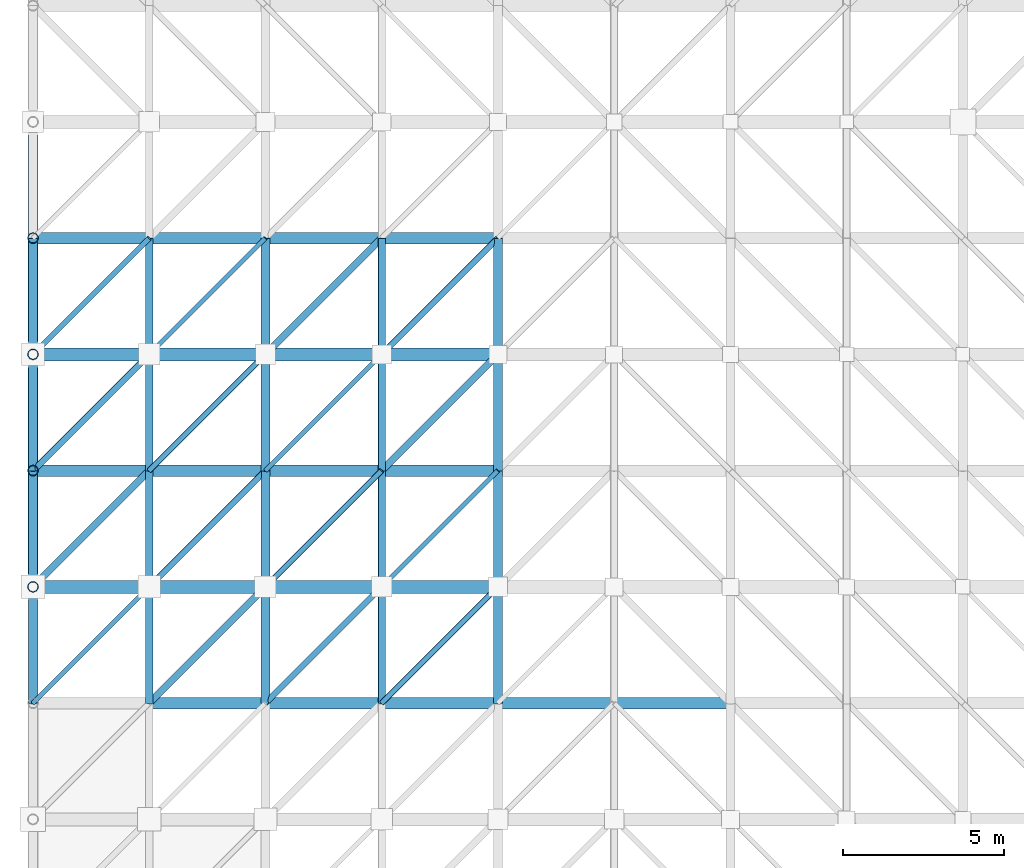
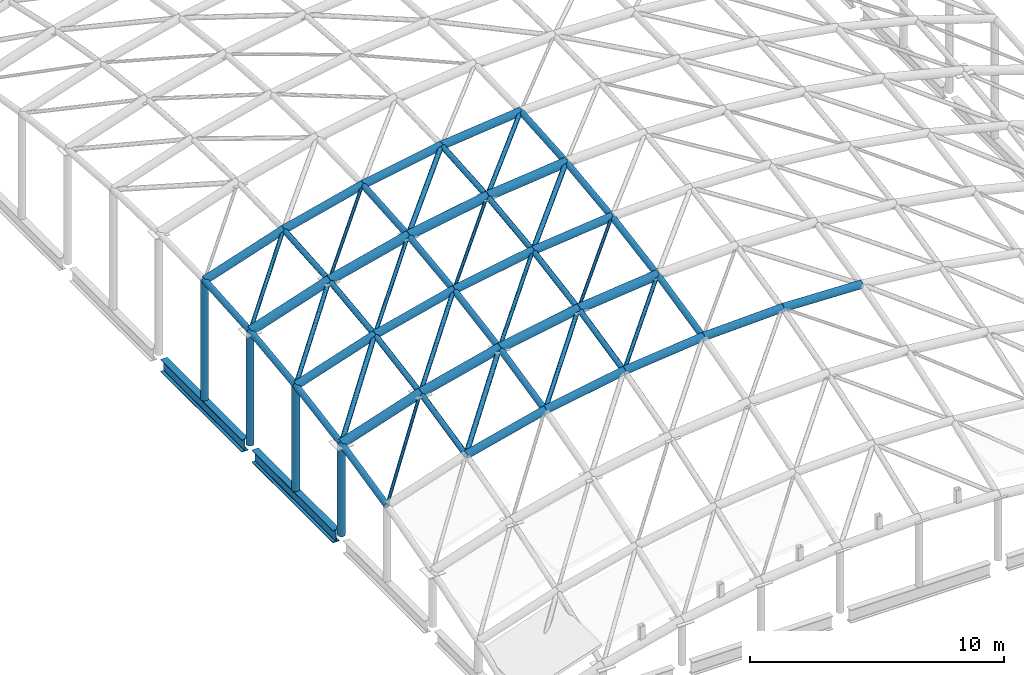
# One storey, part 4 of 40: 61 members, 2 beams.
"""IFC4 building model written with IfcOpenShell, lengths in metres."""

from ifc_helpers import new_model, si_unit, direction, frame, origin, origin_2d, place, context, subcontext, project, spatial, hollow_circle, i_section, extrude, material, material_profile, profile_set, type_object, element, save


model = new_model("IFC4")

# Units and contexts
model_context = context("Model", 3, precision=1e-05, world=origin(), true_north=direction((0.0, 1.0)))
body_context = subcontext(model_context, "Body", "Model", "MODEL_VIEW")
ifc_project = project(units=[si_unit("LENGTHUNIT", "METRE"), si_unit("AREAUNIT", "SQUARE_METRE"), si_unit("VOLUMEUNIT", "CUBIC_METRE"), si_unit("PLANEANGLEUNIT", "RADIAN"), si_unit("MASSUNIT", "GRAM", prefix="KILO")], contexts=[model_context])

# Site, building, storey
site_placement = place(None, origin())
site = spatial("IfcSite", under=ifc_project, at=site_placement, CompositionType="ELEMENT")
building_placement = place(site_placement, origin())
building = spatial("IfcBuilding", under=site, at=building_placement, Name="Kavelor Marine Aquarium", CompositionType="ELEMENT")
storey_placement = place(building_placement, frame((0.0, 0.0, 17.639892578125)))
storey = spatial("IfcBuildingStorey", under=building, at=storey_placement, Name="L04", CompositionType="ELEMENT", Elevation=17.639892578125)

# Beams
ifc_material_1 = material(Name="Steel S355", Category="steel")
ifc_material_profile_1 = material_profile(ifc_material_1, i_section(OverallWidth=0.300048828125, OverallDepth=0.60009765625, WebThickness=0.015380859375, FlangeThickness=0.030029296875, FilletRadius=0.027099609375, at=origin_2d()), Name="HEB 600")
ifc_profile_set_1 = profile_set([ifc_material_profile_1], Name="Steel S355")
beam_type = type_object("IfcBeamType", Name="BM-SB2", PredefinedType="BEAM", material=ifc_profile_set_1)
for number, where, z_axis, x_axis, name in (
    (1, (3.199951171875, 39.199951171875, -0.2998046875), (0.0, 1.0, 0.0), (-1.0, 0.0, 0.0), "bm:y:L04:L04:00_05"),
    (2, (3.199951171875, 46.39990234375, -0.2998046875), (0.0, 1.0, 0.0), (-1.0, 0.0, 0.0), "bm:y:L04:L04:00_06"),
):
    element("IfcBeam", number, at=place(storey_placement, frame(where, z_axis=z_axis, x_axis=x_axis)), inside=storey, type_object=beam_type, Name=name, PredefinedType="BEAM", context=body_context, shape_type="SweptSolid", body=[
        extrude(i_section(OverallWidth=0.300048828125, OverallDepth=0.60009765625, WebThickness=0.015380859375, FlangeThickness=0.030029296875, FilletRadius=0.027099609375, at=origin_2d()), origin(), (0.0, 0.0, 1.0), 6.400146484375),
    ])

# Members
ifc_material_2 = material(Name="Steel S355", Category="steel")
ifc_material_profile_2 = material_profile(ifc_material_2, hollow_circle(Radius=0.109619140625, WallThickness=0.0087890625, at=origin_2d()), Name="CHS 219.1x8.8")
ifc_profile_set_2 = profile_set([ifc_material_profile_2], Name="Steel S355")
member_type_1 = type_object("IfcMemberType", Name="GS-BR1", PredefinedType="BRACE", material=ifc_profile_set_2)
member_1_placement = place(storey_placement, frame((3.199951171875, 38.800048828125, 4.3818359375), z_axis=(0.666747029321, 0.66670181387, 0.333102221959), x_axis=(-0.707082803744, 0.707130757816, 0.0)))
element("IfcMember", 3, at=member_1_placement, inside=storey, type_object=member_type_1, Name="gs:diag:00_04", PredefinedType="BRACE", context=body_context, shape_type="SweptSolid", body=[
    extrude(hollow_circle(Radius=0.109619140625, WallThickness=0.0087890625, at=origin_2d()), origin(), (0.0, 0.0, 1.0), 5.3994140625),
])
member_2_placement = place(storey_placement, frame((6.800048828125, 35.199951171875, 4.76171875), z_axis=(0.67063437367, 0.670679855825, 0.316919655187), x_axis=(-0.707130757816, 0.707082803744, 0.0)))
element("IfcMember", 4, at=member_2_placement, inside=storey, type_object=member_type_1, Name="gs:diag:01_03", PredefinedType="BRACE", context=body_context, shape_type="SweptSolid", body=[
    extrude(hollow_circle(Radius=0.109619140625, WallThickness=0.0087890625, at=origin_2d()), origin(), (0.0, 0.0, 1.0), 5.367919921875),
])
member_3_placement = place(storey_placement, frame((10.39990234375, 46.0, 7.517822265625), z_axis=(0.696439048992, 0.696439048992, 0.17304710942), x_axis=(-0.707106781187, 0.707106781187, 0.0)))
element("IfcMember", 5, at=member_3_placement, inside=storey, type_object=member_type_1, Name="gs:diag:02_06", PredefinedType="BRACE", context=body_context, shape_type="SweptSolid", body=[
    extrude(hollow_circle(Radius=0.109619140625, WallThickness=0.0087890625, at=origin_2d()), origin(), (0.0, 0.0, 1.0), 5.169189453125),
])
member_4_placement = place(storey_placement, frame((14.0, 42.39990234375, 7.713134765625), z_axis=(0.698244964544, 0.698244964544, 0.157822491986), x_axis=(-0.707106781187, 0.707106781187, 0.0)))
element("IfcMember", 6, at=member_4_placement, inside=storey, type_object=member_type_1, Name="gs:diag:03_05", PredefinedType="BRACE", context=body_context, shape_type="SweptSolid", body=[
    extrude(hollow_circle(Radius=0.109619140625, WallThickness=0.0087890625, at=origin_2d()), origin(), (0.0, 0.0, 1.0), 5.156005859375),
])
ifc_material_3 = material(Name="Steel S355", Category="steel")
ifc_material_profile_3 = material_profile(ifc_material_3, hollow_circle(Radius=0.096923828125, WallThickness=0.008056640625, at=origin_2d()), Name="CHS 193.7x8.0")
ifc_profile_set_3 = profile_set([ifc_material_profile_3], Name="Steel S355")
member_type_2 = type_object("IfcMemberType", Name="GS-BR2", PredefinedType="BRACE", material=ifc_profile_set_3)
member_5_placement = place(storey_placement, frame((3.199951171875, 42.39990234375, 4.999267578125), z_axis=(0.673860988833, 0.673860988833, 0.303022664923), x_axis=(-0.707106781187, 0.707106781187, 0.0)))
element("IfcMember", 7, at=member_5_placement, inside=storey, type_object=member_type_2, Name="gs:diag:00_05", PredefinedType="BRACE", context=body_context, shape_type="SweptSolid", body=[
    extrude(hollow_circle(Radius=0.096923828125, WallThickness=0.008056640625, at=origin_2d()), origin(), (0.0, 0.0, 1.0), 5.342529296875),
])
member_6_placement = place(storey_placement, frame((6.800048828125, 38.800048828125, 5.56298828125), z_axis=(0.677657952078, 0.677657952078, 0.285586064036), x_axis=(-0.707106781187, 0.707106781187, 0.0)))
element("IfcMember", 8, at=member_6_placement, inside=storey, type_object=member_type_2, Name="gs:diag:01_04", PredefinedType="BRACE", context=body_context, shape_type="SweptSolid", body=[
    extrude(hollow_circle(Radius=0.096923828125, WallThickness=0.008056640625, at=origin_2d()), origin(), (0.0, 0.0, 1.0), 5.312255859375),
])
member_7_placement = place(storey_placement, frame((10.39990234375, 35.199951171875, 5.661376953125), z_axis=(0.680613458461, 0.680613458461, 0.271165337614), x_axis=(-0.707106781187, 0.707106781187, 0.0)))
element("IfcMember", 9, at=member_7_placement, inside=storey, type_object=member_type_2, Name="gs:diag:02_03", PredefinedType="BRACE", context=body_context, shape_type="SweptSolid", body=[
    extrude(hollow_circle(Radius=0.096923828125, WallThickness=0.008056640625, at=origin_2d()), origin(), (0.0, 0.0, 1.0), 5.28955078125),
])
member_8_placement = place(storey_placement, frame((14.0, 46.0, 8.15087890625), z_axis=(0.701628798962, 0.701628798962, 0.124233879974), x_axis=(-0.707106781187, 0.707106781187, 0.0)))
element("IfcMember", 10, at=member_8_placement, inside=storey, type_object=member_type_2, Name="gs:diag:03_06", PredefinedType="BRACE", context=body_context, shape_type="SweptSolid", body=[
    extrude(hollow_circle(Radius=0.096923828125, WallThickness=0.008056640625, at=origin_2d()), origin(), (0.0, 0.0, 1.0), 5.131103515625),
])
ifc_material_4 = material(Name="Steel S355", Category="steel")
ifc_material_profile_4 = material_profile(ifc_material_4, hollow_circle(Radius=0.084228515625, WallThickness=0.007080078125, at=origin_2d()), Name="CHS 168.3x7.1")
ifc_profile_set_4 = profile_set([ifc_material_profile_4], Name="Steel S355")
member_type_3 = type_object("IfcMemberType", Name="GS-BR3", PredefinedType="BRACE", material=ifc_profile_set_4)
member_9_placement = place(storey_placement, frame((3.199951171875, 46.0, 5.43701171875), z_axis=(0.680323178613, 0.680323178613, 0.272618314284), x_axis=(-0.707106781187, 0.707106781187, 0.0)))
element("IfcMember", 11, at=member_9_placement, inside=storey, type_object=member_type_3, Name="gs:diag:00_06", PredefinedType="BRACE", context=body_context, shape_type="SweptSolid", body=[
    extrude(hollow_circle(Radius=0.084228515625, WallThickness=0.007080078125, at=origin_2d()), origin(), (0.0, 0.0, 1.0), 5.291748046875),
])
member_10_placement = place(storey_placement, frame((6.800048828125, 42.39990234375, 6.180419921875), z_axis=(0.683880057148, 0.68392643762, 0.25407222469), x_axis=(-0.707130757816, 0.707082803744, 0.0)))
element("IfcMember", 12, at=member_10_placement, inside=storey, type_object=member_type_3, Name="gs:diag:01_05", PredefinedType="BRACE", context=body_context, shape_type="SweptSolid", body=[
    extrude(hollow_circle(Radius=0.084228515625, WallThickness=0.007080078125, at=origin_2d()), origin(), (0.0, 0.0, 1.0), 5.263916015625),
])
member_11_placement = place(storey_placement, frame((10.39990234375, 38.800048828125, 6.462890625), z_axis=(0.68672699201, 0.686680421619, 0.238486974507), x_axis=(-0.707082803744, 0.707130757816, 0.0)))
element("IfcMember", 13, at=member_11_placement, inside=storey, type_object=member_type_3, Name="gs:diag:02_04", PredefinedType="BRACE", context=body_context, shape_type="SweptSolid", body=[
    extrude(hollow_circle(Radius=0.084228515625, WallThickness=0.007080078125, at=origin_2d()), origin(), (0.0, 0.0, 1.0), 5.242431640625),
])
member_12_placement = place(storey_placement, frame((14.0, 35.199951171875, 6.29443359375), z_axis=(0.688922252704, 0.688922252704, 0.225327005614), x_axis=(-0.707106781187, 0.707106781187, 0.0)))
element("IfcMember", 14, at=member_12_placement, inside=storey, type_object=member_type_3, Name="gs:diag:03_03", PredefinedType="BRACE", context=body_context, shape_type="SweptSolid", body=[
    extrude(hollow_circle(Radius=0.084228515625, WallThickness=0.007080078125, at=origin_2d()), origin(), (0.0, 0.0, 1.0), 5.2255859375),
])
ifc_material_5 = material(Name="Steel S355", Category="steel")
ifc_material_profile_5 = material_profile(ifc_material_5, hollow_circle(Radius=0.06982421875, WallThickness=0.00634765625, at=origin_2d()), Name="CHS 139.7x6.3")
ifc_profile_set_5 = profile_set([ifc_material_profile_5], Name="Steel S355")
member_type_4 = type_object("IfcMemberType", Name="GS-BR4", PredefinedType="BRACE", material=ifc_profile_set_5)
member_13_placement = place(storey_placement, frame((3.199951171875, 35.199951171875, 3.58056640625), z_axis=(0.658918816288, 0.658918816288, 0.362838789384), x_axis=(-0.707106781187, 0.707106781187, 0.0)))
element("IfcMember", 15, at=member_13_placement, inside=storey, type_object=member_type_4, Name="gs:diag:00_03", PredefinedType="BRACE", context=body_context, shape_type="SweptSolid", body=[
    extrude(hollow_circle(Radius=0.06982421875, WallThickness=0.00634765625, at=origin_2d()), origin(), (0.0, 0.0, 1.0), 5.463623046875),
])
member_14_placement = place(storey_placement, frame((6.800048828125, 46.0, 6.6181640625), z_axis=(0.689380760492, 0.689427514019, 0.222359775985), x_axis=(-0.707130757816, 0.707082803744, 0.0)))
element("IfcMember", 16, at=member_14_placement, inside=storey, type_object=member_type_4, Name="gs:diag:01_06", PredefinedType="BRACE", context=body_context, shape_type="SweptSolid", body=[
    extrude(hollow_circle(Radius=0.06982421875, WallThickness=0.00634765625, at=origin_2d()), origin(), (0.0, 0.0, 1.0), 5.221923828125),
])
member_15_placement = place(storey_placement, frame((10.39990234375, 42.39990234375, 7.080078125), z_axis=(0.691968034363, 0.691968034363, 0.205816614588), x_axis=(-0.707106781187, 0.707106781187, 0.0)))
element("IfcMember", 17, at=member_15_placement, inside=storey, type_object=member_type_4, Name="gs:diag:02_05", PredefinedType="BRACE", context=body_context, shape_type="SweptSolid", body=[
    extrude(hollow_circle(Radius=0.06982421875, WallThickness=0.00634765625, at=origin_2d()), origin(), (0.0, 0.0, 1.0), 5.20263671875),
])
member_16_placement = place(storey_placement, frame((14.0, 38.800048828125, 7.095703125), z_axis=(0.694041772438, 0.693994705995, 0.19151335766), x_axis=(-0.707082803744, 0.707130757816, 0.0)))
element("IfcMember", 18, at=member_16_placement, inside=storey, type_object=member_type_4, Name="gs:diag:03_04", PredefinedType="BRACE", context=body_context, shape_type="SweptSolid", body=[
    extrude(hollow_circle(Radius=0.06982421875, WallThickness=0.00634765625, at=origin_2d()), origin(), (0.0, 0.0, 1.0), 5.187255859375),
])
ifc_material_6 = material(Name="Steel S355", Category="steel")
ifc_material_profile_6 = material_profile(ifc_material_6, hollow_circle(Radius=0.203125, WallThickness=0.01611328125, at=origin_2d()), Name="CHS 406.4x16.0")
ifc_profile_set_6 = profile_set([ifc_material_profile_6], Name="Steel S355")
member_type_5 = type_object("IfcMemberType", Name="GS-CH1", PredefinedType="CHORD", material=ifc_profile_set_6)
member_17_placement = place(storey_placement, frame((3.199951171875, 38.800048828125, 4.3818359375), z_axis=(0.950167603973, 0.0, 0.311739513632), x_axis=(0.0, 1.0, 0.0)))
element("IfcMember", 19, at=member_17_placement, inside=storey, type_object=member_type_5, Name="gs:arch:00_04", PredefinedType="CHORD", context=body_context, shape_type="SweptSolid", body=[
    extrude(hollow_circle(Radius=0.203125, WallThickness=0.01611328125, at=origin_2d()), origin(), (0.0, 0.0, 1.0), 3.788818359375),
])
member_18_placement = place(storey_placement, frame((6.800048828125, 38.800048828125, 5.56298828125), z_axis=(0.970146370312, 0.0, 0.242520143843), x_axis=(0.0, 1.0, 0.0)))
element("IfcMember", 20, at=member_18_placement, inside=storey, type_object=member_type_5, Name="gs:arch:01_04", PredefinedType="CHORD", context=body_context, shape_type="SweptSolid", body=[
    extrude(hollow_circle(Radius=0.203125, WallThickness=0.01611328125, at=origin_2d()), origin(), (0.0, 0.0, 1.0), 3.710693359375),
])
member_19_placement = place(storey_placement, frame((10.39990234375, 38.800048828125, 6.462890625), z_axis=(0.984900331996, 0.0, 0.17312231524), x_axis=(0.0, 1.0, 0.0)))
element("IfcMember", 21, at=member_19_placement, inside=storey, type_object=member_type_5, Name="gs:arch:02_04", PredefinedType="CHORD", context=body_context, shape_type="SweptSolid", body=[
    extrude(hollow_circle(Radius=0.203125, WallThickness=0.01611328125, at=origin_2d()), origin(), (0.0, 0.0, 1.0), 3.6552734375),
])
member_20_placement = place(storey_placement, frame((14.0, 38.800048828125, 7.095703125), z_axis=(0.994583891535, 0.0, 0.103936916917), x_axis=(0.0, 1.0, 0.0)))
element("IfcMember", 22, at=member_20_placement, inside=storey, type_object=member_type_5, Name="gs:arch:03_04", PredefinedType="CHORD", context=body_context, shape_type="SweptSolid", body=[
    extrude(hollow_circle(Radius=0.203125, WallThickness=0.01611328125, at=origin_2d()), origin(), (0.0, 0.0, 1.0), 3.61962890625),
])
member_21_placement = place(storey_placement, frame((3.199951171875, 46.0, 5.43701171875), z_axis=(0.950167603973, 0.0, 0.311739513632), x_axis=(0.0, 1.0, 0.0)))
element("IfcMember", 23, at=member_21_placement, inside=storey, type_object=member_type_5, Name="gs:arch:00_06", PredefinedType="CHORD", context=body_context, shape_type="SweptSolid", body=[
    extrude(hollow_circle(Radius=0.203125, WallThickness=0.01611328125, at=origin_2d()), origin(), (0.0, 0.0, 1.0), 3.788818359375),
])
member_22_placement = place(storey_placement, frame((6.800048828125, 46.0, 6.6181640625), z_axis=(0.970161848818, 0.0, 0.242458217219), x_axis=(0.0, 1.0, 0.0)))
element("IfcMember", 24, at=member_22_placement, inside=storey, type_object=member_type_5, Name="gs:arch:01_06", PredefinedType="CHORD", context=body_context, shape_type="SweptSolid", body=[
    extrude(hollow_circle(Radius=0.203125, WallThickness=0.01611328125, at=origin_2d()), origin(), (0.0, 0.0, 1.0), 3.71044921875),
])
member_23_placement = place(storey_placement, frame((10.39990234375, 46.0, 7.517822265625), z_axis=(0.984888941579, 0.0, 0.173187103317), x_axis=(0.0, 1.0, 0.0)))
element("IfcMember", 25, at=member_23_placement, inside=storey, type_object=member_type_5, Name="gs:arch:02_06", PredefinedType="CHORD", context=body_context, shape_type="SweptSolid", body=[
    extrude(hollow_circle(Radius=0.203125, WallThickness=0.01611328125, at=origin_2d()), origin(), (0.0, 0.0, 1.0), 3.6552734375),
])
member_24_placement = place(storey_placement, frame((14.0, 46.0, 8.15087890625), z_axis=(0.994590861685, 0.0, 0.103870197138), x_axis=(0.0, 1.0, 0.0)))
element("IfcMember", 26, at=member_24_placement, inside=storey, type_object=member_type_5, Name="gs:arch:03_06", PredefinedType="CHORD", context=body_context, shape_type="SweptSolid", body=[
    extrude(hollow_circle(Radius=0.203125, WallThickness=0.01611328125, at=origin_2d()), origin(), (0.0, 0.0, 1.0), 3.61962890625),
])
ifc_material_7 = material(Name="Steel S355", Category="steel")
ifc_material_profile_7 = material_profile(ifc_material_7, hollow_circle(Radius=0.177734375, WallThickness=0.01416015625, at=origin_2d()), Name="CHS 355.6x14.2")
ifc_profile_set_7 = profile_set([ifc_material_profile_7], Name="Steel S355")
member_type_6 = type_object("IfcMemberType", Name="GS-CH2", PredefinedType="CHORD", material=ifc_profile_set_7)
member_25_placement = place(storey_placement, frame((6.800048828125, 35.199951171875, 4.76171875), z_axis=(0.970161848818, 0.0, 0.242458217219), x_axis=(0.0, 1.0, 0.0)))
element("IfcMember", 27, at=member_25_placement, inside=storey, type_object=member_type_6, Name="gs:arch:01_03", PredefinedType="CHORD", context=body_context, shape_type="SweptSolid", body=[
    extrude(hollow_circle(Radius=0.177734375, WallThickness=0.01416015625, at=origin_2d()), origin(), (0.0, 0.0, 1.0), 3.71044921875),
])
member_26_placement = place(storey_placement, frame((10.39990234375, 35.199951171875, 5.661376953125), z_axis=(0.984888941579, 0.0, 0.173187103317), x_axis=(0.0, 1.0, 0.0)))
element("IfcMember", 28, at=member_26_placement, inside=storey, type_object=member_type_6, Name="gs:arch:02_03", PredefinedType="CHORD", context=body_context, shape_type="SweptSolid", body=[
    extrude(hollow_circle(Radius=0.177734375, WallThickness=0.01416015625, at=origin_2d()), origin(), (0.0, 0.0, 1.0), 3.6552734375),
])
member_27_placement = place(storey_placement, frame((14.0, 35.199951171875, 6.29443359375), z_axis=(0.994583891535, 0.0, 0.103936916917), x_axis=(0.0, 1.0, 0.0)))
element("IfcMember", 29, at=member_27_placement, inside=storey, type_object=member_type_6, Name="gs:arch:03_03", PredefinedType="CHORD", context=body_context, shape_type="SweptSolid", body=[
    extrude(hollow_circle(Radius=0.177734375, WallThickness=0.01416015625, at=origin_2d()), origin(), (0.0, 0.0, 1.0), 3.61962890625),
])
member_28_placement = place(storey_placement, frame((17.60009765625, 35.199951171875, 6.670654296875), z_axis=(0.999400027608, 0.0, 0.034635022998), x_axis=(0.0, 1.0, 0.0)))
element("IfcMember", 30, at=member_28_placement, inside=storey, type_object=member_type_6, Name="gs:arch:04_03", PredefinedType="CHORD", context=body_context, shape_type="SweptSolid", body=[
    extrude(hollow_circle(Radius=0.177734375, WallThickness=0.01416015625, at=origin_2d()), origin(), (0.0, 0.0, 1.0), 3.60205078125),
])
member_29_placement = place(storey_placement, frame((21.199951171875, 35.199951171875, 6.79541015625), z_axis=(0.999400108906, 0.0, -0.034632677041), x_axis=(0.0, 1.0, 0.0)))
element("IfcMember", 31, at=member_29_placement, inside=storey, type_object=member_type_6, Name="gs:arch:05_03", PredefinedType="CHORD", context=body_context, shape_type="SweptSolid", body=[
    extrude(hollow_circle(Radius=0.177734375, WallThickness=0.01416015625, at=origin_2d()), origin(), (0.0, 0.0, 1.0), 3.602294921875),
])
member_30_placement = place(storey_placement, frame((3.199951171875, 42.39990234375, 4.999267578125), z_axis=(0.950167603973, 0.0, 0.311739513632), x_axis=(0.0, 1.0, 0.0)))
element("IfcMember", 32, at=member_30_placement, inside=storey, type_object=member_type_6, Name="gs:arch:00_05", PredefinedType="CHORD", context=body_context, shape_type="SweptSolid", body=[
    extrude(hollow_circle(Radius=0.177734375, WallThickness=0.01416015625, at=origin_2d()), origin(), (0.0, 0.0, 1.0), 3.788818359375),
])
member_31_placement = place(storey_placement, frame((6.800048828125, 42.39990234375, 6.180419921875), z_axis=(0.970161848818, 0.0, 0.242458217219), x_axis=(0.0, 1.0, 0.0)))
element("IfcMember", 33, at=member_31_placement, inside=storey, type_object=member_type_6, Name="gs:arch:01_05", PredefinedType="CHORD", context=body_context, shape_type="SweptSolid", body=[
    extrude(hollow_circle(Radius=0.177734375, WallThickness=0.01416015625, at=origin_2d()), origin(), (0.0, 0.0, 1.0), 3.71044921875),
])
member_32_placement = place(storey_placement, frame((10.39990234375, 42.39990234375, 7.080078125), z_axis=(0.984888941579, 0.0, 0.173187103317), x_axis=(0.0, 1.0, 0.0)))
element("IfcMember", 34, at=member_32_placement, inside=storey, type_object=member_type_6, Name="gs:arch:02_05", PredefinedType="CHORD", context=body_context, shape_type="SweptSolid", body=[
    extrude(hollow_circle(Radius=0.177734375, WallThickness=0.01416015625, at=origin_2d()), origin(), (0.0, 0.0, 1.0), 3.6552734375),
])
member_33_placement = place(storey_placement, frame((14.0, 42.39990234375, 7.713134765625), z_axis=(0.994590861685, 0.0, 0.103870197138), x_axis=(0.0, 1.0, 0.0)))
element("IfcMember", 35, at=member_33_placement, inside=storey, type_object=member_type_6, Name="gs:arch:03_05", PredefinedType="CHORD", context=body_context, shape_type="SweptSolid", body=[
    extrude(hollow_circle(Radius=0.177734375, WallThickness=0.01416015625, at=origin_2d()), origin(), (0.0, 0.0, 1.0), 3.61962890625),
])
member_34_placement = place(storey_placement, frame((3.199951171875, 49.60009765625, 5.698486328125), z_axis=(0.950167603973, 0.0, 0.311739513632), x_axis=(0.0, 1.0, 0.0)))
element("IfcMember", 36, at=member_34_placement, inside=storey, type_object=member_type_6, Name="gs:arch:00_07", PredefinedType="CHORD", context=body_context, shape_type="SweptSolid", body=[
    extrude(hollow_circle(Radius=0.177734375, WallThickness=0.01416015625, at=origin_2d()), origin(), (0.0, 0.0, 1.0), 3.788818359375),
])
member_35_placement = place(storey_placement, frame((6.800048828125, 49.60009765625, 6.879638671875), z_axis=(0.970161848818, 0.0, 0.242458217219), x_axis=(0.0, 1.0, 0.0)))
element("IfcMember", 37, at=member_35_placement, inside=storey, type_object=member_type_6, Name="gs:arch:01_07", PredefinedType="CHORD", context=body_context, shape_type="SweptSolid", body=[
    extrude(hollow_circle(Radius=0.177734375, WallThickness=0.01416015625, at=origin_2d()), origin(), (0.0, 0.0, 1.0), 3.71044921875),
])
member_36_placement = place(storey_placement, frame((10.39990234375, 49.60009765625, 7.779296875), z_axis=(0.984888941579, 0.0, 0.173187103317), x_axis=(0.0, 1.0, 0.0)))
element("IfcMember", 38, at=member_36_placement, inside=storey, type_object=member_type_6, Name="gs:arch:02_07", PredefinedType="CHORD", context=body_context, shape_type="SweptSolid", body=[
    extrude(hollow_circle(Radius=0.177734375, WallThickness=0.01416015625, at=origin_2d()), origin(), (0.0, 0.0, 1.0), 3.6552734375),
])
member_37_placement = place(storey_placement, frame((14.0, 49.60009765625, 8.412353515625), z_axis=(0.994590861685, 0.0, 0.103870197138), x_axis=(0.0, 1.0, 0.0)))
element("IfcMember", 39, at=member_37_placement, inside=storey, type_object=member_type_6, Name="gs:arch:03_07", PredefinedType="CHORD", context=body_context, shape_type="SweptSolid", body=[
    extrude(hollow_circle(Radius=0.177734375, WallThickness=0.01416015625, at=origin_2d()), origin(), (0.0, 0.0, 1.0), 3.61962890625),
])
ifc_material_8 = material(Name="Steel S355", Category="steel")
ifc_material_profile_8 = material_profile(ifc_material_8, hollow_circle(Radius=0.161865234375, WallThickness=0.012451171875, at=origin_2d()), Name="CHS 323.9x12.5")
ifc_profile_set_8 = profile_set([ifc_material_profile_8], Name="Steel S355")
member_type_7 = type_object("IfcMemberType", Name="GS-CH3", PredefinedType="CHORD", material=ifc_profile_set_8)
member_38_placement = place(storey_placement, frame((3.199951171875, 38.800048828125, 0.0), z_axis=(0.0, 0.0, 1.0), x_axis=(1.0, 0.0, 0.0)))
element("IfcMember", 40, at=member_38_placement, inside=storey, type_object=member_type_7, Name="gs:post:x:00_04", PredefinedType="CHORD", context=body_context, shape_type="SweptSolid", body=[
    extrude(hollow_circle(Radius=0.161865234375, WallThickness=0.012451171875, at=origin_2d()), origin(), (0.0, 0.0, 1.0), 4.3818359375),
])
member_39_placement = place(storey_placement, frame((3.199951171875, 42.39990234375, 0.0), z_axis=(0.0, 0.0, 1.0), x_axis=(1.0, 0.0, 0.0)))
element("IfcMember", 41, at=member_39_placement, inside=storey, type_object=member_type_7, Name="gs:post:x:00_05", PredefinedType="CHORD", context=body_context, shape_type="SweptSolid", body=[
    extrude(hollow_circle(Radius=0.161865234375, WallThickness=0.012451171875, at=origin_2d()), origin(), (0.0, 0.0, 1.0), 4.999267578125),
])
member_40_placement = place(storey_placement, frame((3.199951171875, 46.0, 0.0), z_axis=(0.0, 0.0, 1.0), x_axis=(1.0, 0.0, 0.0)))
element("IfcMember", 42, at=member_40_placement, inside=storey, type_object=member_type_7, Name="gs:post:x:00_06", PredefinedType="CHORD", context=body_context, shape_type="SweptSolid", body=[
    extrude(hollow_circle(Radius=0.161865234375, WallThickness=0.012451171875, at=origin_2d()), origin(), (0.0, 0.0, 1.0), 5.43701171875),
])
member_41_placement = place(storey_placement, frame((3.199951171875, 49.60009765625, 0.0), z_axis=(0.0, 0.0, 1.0), x_axis=(1.0, 0.0, 0.0)))
element("IfcMember", 43, at=member_41_placement, inside=storey, type_object=member_type_7, Name="gs:post:x:00_07", PredefinedType="CHORD", context=body_context, shape_type="SweptSolid", body=[
    extrude(hollow_circle(Radius=0.161865234375, WallThickness=0.012451171875, at=origin_2d()), origin(), (0.0, 0.0, 1.0), 5.698486328125),
])
ifc_material_9 = material(Name="Steel S355", Category="steel")
ifc_material_profile_9 = material_profile(ifc_material_9, hollow_circle(Radius=0.136474609375, WallThickness=0.010009765625, at=origin_2d()), Name="CHS 273.0x10.0")
ifc_profile_set_9 = profile_set([ifc_material_profile_9], Name="Steel S355")
member_type_8 = type_object("IfcMemberType", Name="GS-CH4", PredefinedType="CHORD", material=ifc_profile_set_9)
member_42_placement = place(storey_placement, frame((3.199951171875, 35.199951171875, 3.58056640625), z_axis=(0.0, 0.976115360304, 0.21725285586), x_axis=(-1.0, 0.0, 0.0)))
element("IfcMember", 44, at=member_42_placement, inside=storey, type_object=member_type_8, Name="gs:long:00_03", PredefinedType="CHORD", context=body_context, shape_type="SweptSolid", body=[
    extrude(hollow_circle(Radius=0.136474609375, WallThickness=0.010009765625, at=origin_2d()), origin(), (0.0, 0.0, 1.0), 3.688232421875),
])
member_43_placement = place(storey_placement, frame((3.199951171875, 38.800048828125, 4.3818359375), z_axis=(0.0, 0.985607939021, 0.169047302664), x_axis=(-1.0, 0.0, 0.0)))
element("IfcMember", 45, at=member_43_placement, inside=storey, type_object=member_type_8, Name="gs:long:00_04", PredefinedType="CHORD", context=body_context, shape_type="SweptSolid", body=[
    extrude(hollow_circle(Radius=0.136474609375, WallThickness=0.010009765625, at=origin_2d()), origin(), (0.0, 0.0, 1.0), 3.65234375),
])
member_44_placement = place(storey_placement, frame((3.199951171875, 42.39990234375, 4.999267578125), z_axis=(0.0, 0.992688629833, 0.120703289929), x_axis=(-1.0, 0.0, 0.0)))
element("IfcMember", 46, at=member_44_placement, inside=storey, type_object=member_type_8, Name="gs:long:00_05", PredefinedType="CHORD", context=body_context, shape_type="SweptSolid", body=[
    extrude(hollow_circle(Radius=0.136474609375, WallThickness=0.010009765625, at=origin_2d()), origin(), (0.0, 0.0, 1.0), 3.626708984375),
])
member_45_placement = place(storey_placement, frame((3.199951171875, 46.0, 5.43701171875), z_axis=(0.0, 0.997372840636, 0.072439055494), x_axis=(-1.0, 0.0, 0.0)))
element("IfcMember", 47, at=member_45_placement, inside=storey, type_object=member_type_8, Name="gs:long:00_06", PredefinedType="CHORD", context=body_context, shape_type="SweptSolid", body=[
    extrude(hollow_circle(Radius=0.136474609375, WallThickness=0.010009765625, at=origin_2d()), origin(), (0.0, 0.0, 1.0), 3.609619140625),
])
member_46_placement = place(storey_placement, frame((10.39990234375, 35.199951171875, 5.661376953125), z_axis=(0.0, 0.976101320845, 0.217315925426), x_axis=(-1.0, 0.0, 0.0)))
element("IfcMember", 48, at=member_46_placement, inside=storey, type_object=member_type_8, Name="gs:long:02_03", PredefinedType="CHORD", context=body_context, shape_type="SweptSolid", body=[
    extrude(hollow_circle(Radius=0.136474609375, WallThickness=0.010009765625, at=origin_2d()), origin(), (0.0, 0.0, 1.0), 3.688232421875),
])
member_47_placement = place(storey_placement, frame((10.39990234375, 38.800048828125, 6.462890625), z_axis=(0.0, 0.985619074101, 0.168982368215), x_axis=(-1.0, 0.0, 0.0)))
element("IfcMember", 49, at=member_47_placement, inside=storey, type_object=member_type_8, Name="gs:long:02_04", PredefinedType="CHORD", context=body_context, shape_type="SweptSolid", body=[
    extrude(hollow_circle(Radius=0.136474609375, WallThickness=0.010009765625, at=origin_2d()), origin(), (0.0, 0.0, 1.0), 3.65234375),
])
member_48_placement = place(storey_placement, frame((10.39990234375, 42.39990234375, 7.080078125), z_axis=(0.0, 0.992688629833, 0.120703289929), x_axis=(-1.0, 0.0, 0.0)))
element("IfcMember", 50, at=member_48_placement, inside=storey, type_object=member_type_8, Name="gs:long:02_05", PredefinedType="CHORD", context=body_context, shape_type="SweptSolid", body=[
    extrude(hollow_circle(Radius=0.136474609375, WallThickness=0.010009765625, at=origin_2d()), origin(), (0.0, 0.0, 1.0), 3.626708984375),
])
member_49_placement = place(storey_placement, frame((10.39990234375, 46.0, 7.517822265625), z_axis=(0.0, 0.997372840636, 0.072439055494), x_axis=(-1.0, 0.0, 0.0)))
element("IfcMember", 51, at=member_49_placement, inside=storey, type_object=member_type_8, Name="gs:long:02_06", PredefinedType="CHORD", context=body_context, shape_type="SweptSolid", body=[
    extrude(hollow_circle(Radius=0.136474609375, WallThickness=0.010009765625, at=origin_2d()), origin(), (0.0, 0.0, 1.0), 3.609619140625),
])
member_50_placement = place(storey_placement, frame((17.60009765625, 35.199951171875, 6.670654296875), z_axis=(0.0, 0.976115360304, 0.21725285586), x_axis=(-1.0, 0.0, 0.0)))
element("IfcMember", 52, at=member_50_placement, inside=storey, type_object=member_type_8, Name="gs:long:04_03", PredefinedType="CHORD", context=body_context, shape_type="SweptSolid", body=[
    extrude(hollow_circle(Radius=0.136474609375, WallThickness=0.010009765625, at=origin_2d()), origin(), (0.0, 0.0, 1.0), 3.688232421875),
])
member_51_placement = place(storey_placement, frame((17.60009765625, 38.800048828125, 7.471923828125), z_axis=(0.0, 0.985619074101, 0.168982368215), x_axis=(-1.0, 0.0, 0.0)))
element("IfcMember", 53, at=member_51_placement, inside=storey, type_object=member_type_8, Name="gs:long:04_04", PredefinedType="CHORD", context=body_context, shape_type="SweptSolid", body=[
    extrude(hollow_circle(Radius=0.136474609375, WallThickness=0.010009765625, at=origin_2d()), origin(), (0.0, 0.0, 1.0), 3.65234375),
])
member_52_placement = place(storey_placement, frame((17.60009765625, 42.39990234375, 8.089111328125), z_axis=(0.0, 0.992688629833, 0.120703289929), x_axis=(-1.0, 0.0, 0.0)))
element("IfcMember", 54, at=member_52_placement, inside=storey, type_object=member_type_8, Name="gs:long:04_05", PredefinedType="CHORD", context=body_context, shape_type="SweptSolid", body=[
    extrude(hollow_circle(Radius=0.136474609375, WallThickness=0.010009765625, at=origin_2d()), origin(), (0.0, 0.0, 1.0), 3.626708984375),
])
member_53_placement = place(storey_placement, frame((17.60009765625, 46.0, 8.52685546875), z_axis=(0.0, 0.997372840636, 0.072439055494), x_axis=(-1.0, 0.0, 0.0)))
element("IfcMember", 55, at=member_53_placement, inside=storey, type_object=member_type_8, Name="gs:long:04_06", PredefinedType="CHORD", context=body_context, shape_type="SweptSolid", body=[
    extrude(hollow_circle(Radius=0.136474609375, WallThickness=0.010009765625, at=origin_2d()), origin(), (0.0, 0.0, 1.0), 3.609619140625),
])
ifc_material_10 = material(Name="Steel S355", Category="steel")
ifc_material_profile_10 = material_profile(ifc_material_10, hollow_circle(Radius=0.122314453125, WallThickness=0.010009765625, at=origin_2d()), Name="CHS 244.5x10.0")
ifc_profile_set_10 = profile_set([ifc_material_profile_10], Name="Steel S355")
member_type_9 = type_object("IfcMemberType", Name="GS-CH5", PredefinedType="CHORD", material=ifc_profile_set_10)
member_54_placement = place(storey_placement, frame((6.800048828125, 35.199951171875, 4.76171875), z_axis=(0.0, 0.976115360304, 0.21725285586), x_axis=(-1.0, 0.0, 0.0)))
element("IfcMember", 56, at=member_54_placement, inside=storey, type_object=member_type_9, Name="gs:long:01_03", PredefinedType="CHORD", context=body_context, shape_type="SweptSolid", body=[
    extrude(hollow_circle(Radius=0.122314453125, WallThickness=0.010009765625, at=origin_2d()), origin(), (0.0, 0.0, 1.0), 3.688232421875),
])
member_55_placement = place(storey_placement, frame((6.800048828125, 38.800048828125, 5.56298828125), z_axis=(0.0, 0.985607939021, 0.169047302664), x_axis=(-1.0, 0.0, 0.0)))
element("IfcMember", 57, at=member_55_placement, inside=storey, type_object=member_type_9, Name="gs:long:01_04", PredefinedType="CHORD", context=body_context, shape_type="SweptSolid", body=[
    extrude(hollow_circle(Radius=0.122314453125, WallThickness=0.010009765625, at=origin_2d()), origin(), (0.0, 0.0, 1.0), 3.65234375),
])
member_56_placement = place(storey_placement, frame((6.800048828125, 42.39990234375, 6.180419921875), z_axis=(0.0, 0.992688629833, 0.120703289929), x_axis=(-1.0, 0.0, 0.0)))
element("IfcMember", 58, at=member_56_placement, inside=storey, type_object=member_type_9, Name="gs:long:01_05", PredefinedType="CHORD", context=body_context, shape_type="SweptSolid", body=[
    extrude(hollow_circle(Radius=0.122314453125, WallThickness=0.010009765625, at=origin_2d()), origin(), (0.0, 0.0, 1.0), 3.626708984375),
])
member_57_placement = place(storey_placement, frame((6.800048828125, 46.0, 6.6181640625), z_axis=(0.0, 0.997372840636, 0.072439055494), x_axis=(-1.0, 0.0, 0.0)))
element("IfcMember", 59, at=member_57_placement, inside=storey, type_object=member_type_9, Name="gs:long:01_06", PredefinedType="CHORD", context=body_context, shape_type="SweptSolid", body=[
    extrude(hollow_circle(Radius=0.122314453125, WallThickness=0.010009765625, at=origin_2d()), origin(), (0.0, 0.0, 1.0), 3.609619140625),
])
member_58_placement = place(storey_placement, frame((14.0, 35.199951171875, 6.29443359375), z_axis=(0.0, 0.976115360304, 0.21725285586), x_axis=(-1.0, 0.0, 0.0)))
element("IfcMember", 60, at=member_58_placement, inside=storey, type_object=member_type_9, Name="gs:long:03_03", PredefinedType="CHORD", context=body_context, shape_type="SweptSolid", body=[
    extrude(hollow_circle(Radius=0.122314453125, WallThickness=0.010009765625, at=origin_2d()), origin(), (0.0, 0.0, 1.0), 3.688232421875),
])
member_59_placement = place(storey_placement, frame((14.0, 38.800048828125, 7.095703125), z_axis=(0.0, 0.985607939021, 0.169047302664), x_axis=(-1.0, 0.0, 0.0)))
element("IfcMember", 61, at=member_59_placement, inside=storey, type_object=member_type_9, Name="gs:long:03_04", PredefinedType="CHORD", context=body_context, shape_type="SweptSolid", body=[
    extrude(hollow_circle(Radius=0.122314453125, WallThickness=0.010009765625, at=origin_2d()), origin(), (0.0, 0.0, 1.0), 3.65234375),
])
member_60_placement = place(storey_placement, frame((14.0, 42.39990234375, 7.713134765625), z_axis=(0.0, 0.992688629833, 0.120703289929), x_axis=(-1.0, 0.0, 0.0)))
element("IfcMember", 62, at=member_60_placement, inside=storey, type_object=member_type_9, Name="gs:long:03_05", PredefinedType="CHORD", context=body_context, shape_type="SweptSolid", body=[
    extrude(hollow_circle(Radius=0.122314453125, WallThickness=0.010009765625, at=origin_2d()), origin(), (0.0, 0.0, 1.0), 3.626708984375),
])
member_61_placement = place(storey_placement, frame((14.0, 46.0, 8.15087890625), z_axis=(0.0, 0.997372840636, 0.072439055494), x_axis=(-1.0, 0.0, 0.0)))
element("IfcMember", 63, at=member_61_placement, inside=storey, type_object=member_type_9, Name="gs:long:03_06", PredefinedType="CHORD", context=body_context, shape_type="SweptSolid", body=[
    extrude(hollow_circle(Radius=0.122314453125, WallThickness=0.010009765625, at=origin_2d()), origin(), (0.0, 0.0, 1.0), 3.609619140625),
])

save(model, "model.ifc")
